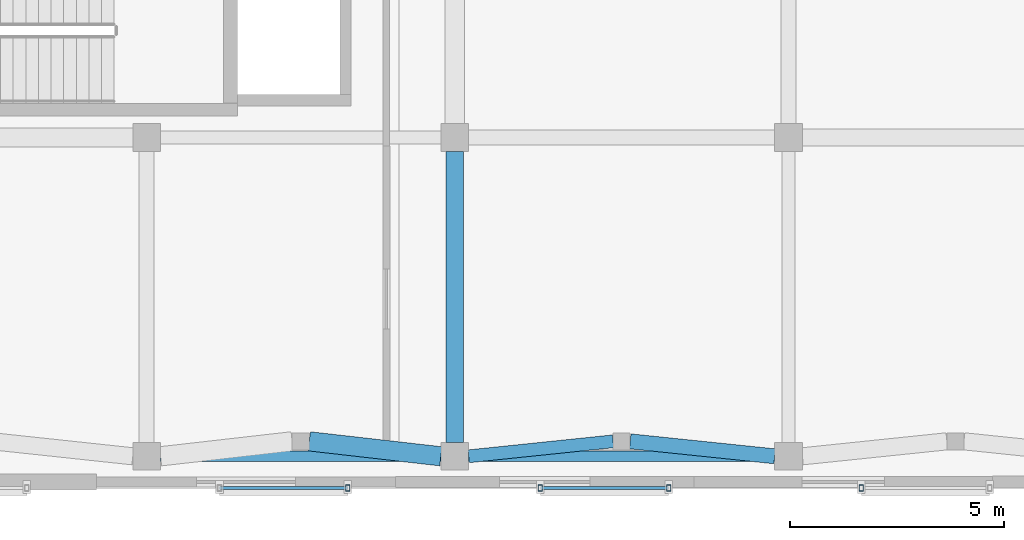
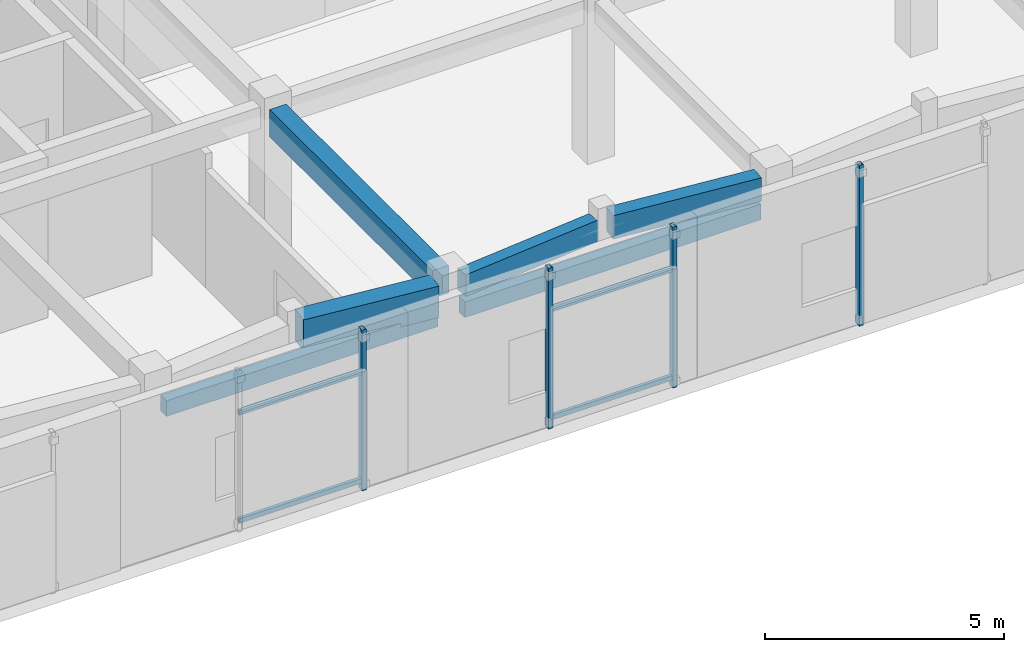
# One storey, part 39 of 142: 8 members, 6 beams.
"""IFC4 building model written with IfcOpenShell, lengths in metres."""

from ifc_helpers import new_model, si_unit, direction, frame, origin, origin_2d, place, context, subcontext, project, spatial, rectangle, hollow_rectangle, extrude, material, material_profile, profile_set, type_object, element, save


model = new_model("IFC4")

# Units and contexts
model_context = context("Model", 3, precision=1e-05, world=origin(), true_north=direction((0.0, 1.0)))
body_context = subcontext(model_context, "Body", "Model", "MODEL_VIEW")
ifc_project = project(units=[si_unit("LENGTHUNIT", "METRE"), si_unit("AREAUNIT", "SQUARE_METRE"), si_unit("VOLUMEUNIT", "CUBIC_METRE"), si_unit("PLANEANGLEUNIT", "RADIAN"), si_unit("MASSUNIT", "GRAM", prefix="KILO")], contexts=[model_context])

# Site, building, storey
site_placement = place(None, origin())
site = spatial("IfcSite", under=ifc_project, at=site_placement, CompositionType="ELEMENT")
building_placement = place(site_placement, origin())
building = spatial("IfcBuilding", under=site, at=building_placement, Name="Valcora Specialist Clinic", CompositionType="ELEMENT")
storey_placement = place(building_placement, frame((0.0, 0.0, 5.10009765625)))
storey = spatial("IfcBuildingStorey", under=building, at=storey_placement, Name="L01", CompositionType="ELEMENT", Elevation=5.10009765625)

# Beams
ifc_material_1 = material(Name="Concrete C40/50", Category="concrete")
ifc_material_profile_1 = material_profile(ifc_material_1, rectangle(XDim=0.300048828125, YDim=0.550048828125, at=origin_2d()), Name="RC-BM-300X550")
ifc_profile_set_1 = profile_set([ifc_material_profile_1], Name="Concrete C40/50")
beam_type_1 = type_object("IfcBeamType", Name="TY-BM-RC300X550", PredefinedType="BEAM", material=ifc_profile_set_1)
beam_1_placement = place(storey_placement, frame((69.324951171875, 0.75, 3.829833984375), z_axis=(0.994662804408, 0.103178997506, 0.0), x_axis=(-0.103178997506, 0.994662804408, 0.0)))
element("IfcBeam", 1, at=beam_1_placement, inside=storey, type_object=beam_type_1, Name="Beam BM-L01-1291", PredefinedType="BEAM", context=body_context, shape_type="SweptSolid", body=[
    extrude(rectangle(XDim=0.300048828125, YDim=0.550048828125, at=origin_2d()), origin(), (0.0, 0.0, 1.0), 3.39306640625),
])
ifc_material_profile_2 = material_profile(ifc_material_1, rectangle(XDim=0.35009765625, YDim=0.60009765625, at=origin_2d()), Name="RC-BM-350X600")
ifc_profile_set_2 = profile_set([ifc_material_profile_2], Name="Concrete C40/50")
beam_type_2 = type_object("IfcBeamType", Name="TY-BM-RC350X600", PredefinedType="BEAM", material=ifc_profile_set_2)
beam_2_placement = place(storey_placement, frame((73.10009765625, 1.10009765625, 3.804931640625), z_axis=(0.994662804408, -0.103178997506, 0.0), x_axis=(0.103178997506, 0.994662804408, 0.0)))
element("IfcBeam", 2, at=beam_2_placement, inside=storey, type_object=beam_type_2, Name="Beam BM-L01-1292", PredefinedType="BEAM", context=body_context, shape_type="SweptSolid", body=[
    extrude(rectangle(XDim=0.35009765625, YDim=0.60009765625, at=origin_2d()), origin(), (0.0, 0.0, 1.0), 3.39306640625),
])
ifc_material_profile_3 = material_profile(ifc_material_1, rectangle(XDim=0.39990234375, YDim=0.699951171875, at=origin_2d()), Name="RC-BM-400X700")
ifc_profile_set_3 = profile_set([ifc_material_profile_3], Name="Concrete C40/50")
beam_type_3 = type_object("IfcBeamType", Name="TY-BM-RC400X700", PredefinedType="BEAM", material=ifc_profile_set_3)
beam_3_placement = place(storey_placement, frame((69.0, 1.074951171875, 3.7548828125), z_axis=(0.0, 1.0, 0.0), x_axis=(-1.0, 0.0, 0.0)))
element("IfcBeam", 3, at=beam_3_placement, inside=storey, type_object=beam_type_3, Name="Beam BM-L01-1334", PredefinedType="BEAM", context=body_context, shape_type="SweptSolid", body=[
    extrude(rectangle(XDim=0.39990234375, YDim=0.699951171875, at=origin_2d()), origin(), (0.0, 0.0, 1.0), 6.800048828125),
])
ifc_material_profile_4 = material_profile(ifc_material_1, rectangle(XDim=0.449951171875, YDim=0.800048828125, at=origin_2d()), Name="RC-BM-450X800")
ifc_profile_set_4 = profile_set([ifc_material_profile_4], Name="Concrete C40/50")
beam_type_4 = type_object("IfcBeamType", Name="TY-BM-RC450X800", PredefinedType="BEAM", material=ifc_profile_set_4)
beam_4_placement = place(storey_placement, frame((65.60009765625, 1.10009765625, 3.704833984375), z_axis=(0.993580893822, -0.113123858812, 0.0), x_axis=(0.113123858812, 0.993580893822, 0.0)))
element("IfcBeam", 4, at=beam_4_placement, inside=storey, type_object=beam_type_4, Name="Beam BM-L01-1290", PredefinedType="BEAM", context=body_context, shape_type="SweptSolid", body=[
    extrude(rectangle(XDim=0.449951171875, YDim=0.800048828125, at=origin_2d()), origin(), (0.0, 0.0, 1.0), 3.0947265625),
])
ifc_material_profile_5 = material_profile(ifc_material_1, rectangle(XDim=0.25, YDim=0.39990234375, at=origin_2d()), Name="RC-LN-250X400")
ifc_profile_set_5 = profile_set([ifc_material_profile_5], Name="Concrete C40/50")
beam_type_5 = type_object("IfcBeamType", Name="TY-LN-RC250X400", PredefinedType="LINTEL", material=ifc_profile_set_5)
beam_5_placement = place(storey_placement, frame((62.125, 0.75, 3.199951171875), z_axis=(1.0, 0.0, 0.0), x_axis=(0.0, 1.0, 0.0)))
element("IfcBeam", 5, at=beam_5_placement, inside=storey, type_object=beam_type_5, Name="Facade lintel 4 BM-L01-1648", PredefinedType="LINTEL", context=body_context, shape_type="SweptSolid", body=[
    extrude(rectangle(XDim=0.25, YDim=0.39990234375, at=origin_2d()), origin(), (0.0, 0.0, 1.0), 6.550048828125),
])
beam_6_placement = place(storey_placement, frame((69.324951171875, 0.75, 3.199951171875), z_axis=(1.0, 0.0, 0.0), x_axis=(0.0, 1.0, 0.0)))
element("IfcBeam", 6, at=beam_6_placement, inside=storey, type_object=beam_type_5, Name="Facade lintel 5 BM-L01-1649", PredefinedType="LINTEL", context=body_context, shape_type="SweptSolid", body=[
    extrude(rectangle(XDim=0.25, YDim=0.39990234375, at=origin_2d()), origin(), (0.0, 0.0, 1.0), 7.150146484375),
])

# Members
ifc_material_2 = material(Name="Steel ASTM A500 Grade C", Category="steel")
ifc_material_profile_6 = material_profile(ifc_material_2, hollow_rectangle(XDim=0.10009765625, YDim=0.14990234375, WallThickness=0.006103515625, at=origin_2d()), Name="ST-RHS-150X100X6")
ifc_profile_set_6 = profile_set([ifc_material_profile_6], Name="Steel ASTM A500 Grade C")
member_type_1 = type_object("IfcMemberType", Name="TY-MB-SFPOST", PredefinedType="POST", material=ifc_profile_set_6)
for number, where, z_axis, x_axis, name in (
    (7, (66.5, 0.010009765625, 0.0), (0.0, 0.0, 1.0), (1.0, 0.0, 0.0), "Brick screen carrier post 62"),
    (8, (71.0, 0.010009765625, 0.0), (0.0, 0.0, 1.0), (1.0, 0.0, 0.0), "Brick screen carrier post 65"),
    (9, (74.0, 0.010009765625, 0.0), (0.0, 0.0, 1.0), (1.0, 0.0, 0.0), "Brick screen carrier post 66"),
    (10, (78.5, 0.010009765625, 0.0), (0.0, 0.0, 1.0), (1.0, 0.0, 0.0), "Brick screen carrier post 69"),
):
    element("IfcMember", number, at=place(storey_placement, frame(where, z_axis=z_axis, x_axis=x_axis)), inside=storey, type_object=member_type_1, Name=name, PredefinedType="POST", context=body_context, shape_type="SweptSolid", body=[
        extrude(hollow_rectangle(XDim=0.10009765625, YDim=0.14990234375, WallThickness=0.006103515625, at=origin_2d()), origin(), (0.0, 0.0, 1.0), 4.10498046875),
    ])
ifc_material_profile_7 = material_profile(ifc_material_2, hollow_rectangle(XDim=0.080078125, YDim=0.1201171875, WallThickness=0.0048828125, at=origin_2d()), Name="ST-RHS-120X80X5")
ifc_profile_set_7 = profile_set([ifc_material_profile_7], Name="Steel ASTM A500 Grade C")
member_type_2 = type_object("IfcMemberType", Name="TY-MB-SFRAIL", PredefinedType="STRINGER", material=ifc_profile_set_7)
for number, where, z_axis, x_axis, name in (
    (11, (63.5, 0.010009765625, 0.239990234375), (1.0, 0.0, 0.0), (0.0, 1.0, 0.0), "Brick screen carrier rail 63"),
    (12, (63.5, 0.010009765625, 3.0), (1.0, 0.0, 0.0), (0.0, 1.0, 0.0), "Brick screen carrier rail 64"),
    (13, (71.0, 0.010009765625, 0.239990234375), (1.0, 0.0, 0.0), (0.0, 1.0, 0.0), "Brick screen carrier rail 67"),
    (14, (71.0, 0.010009765625, 3.0), (1.0, 0.0, 0.0), (0.0, 1.0, 0.0), "Brick screen carrier rail 68"),
):
    element("IfcMember", number, at=place(storey_placement, frame(where, z_axis=z_axis, x_axis=x_axis)), inside=storey, type_object=member_type_2, Name=name, PredefinedType="STRINGER", context=body_context, shape_type="SweptSolid", body=[
        extrude(hollow_rectangle(XDim=0.080078125, YDim=0.1201171875, WallThickness=0.0048828125, at=origin_2d()), origin(), (0.0, 0.0, 1.0), 3.0),
    ])

save(model, "model.ifc")
